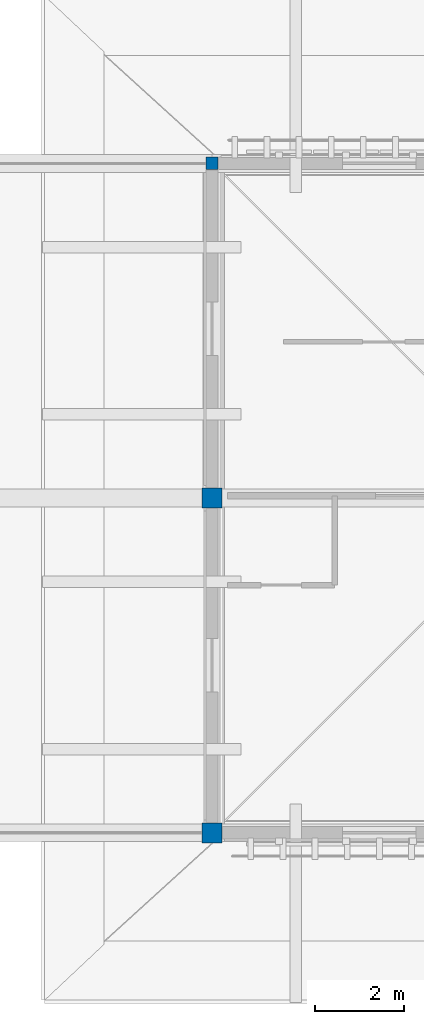
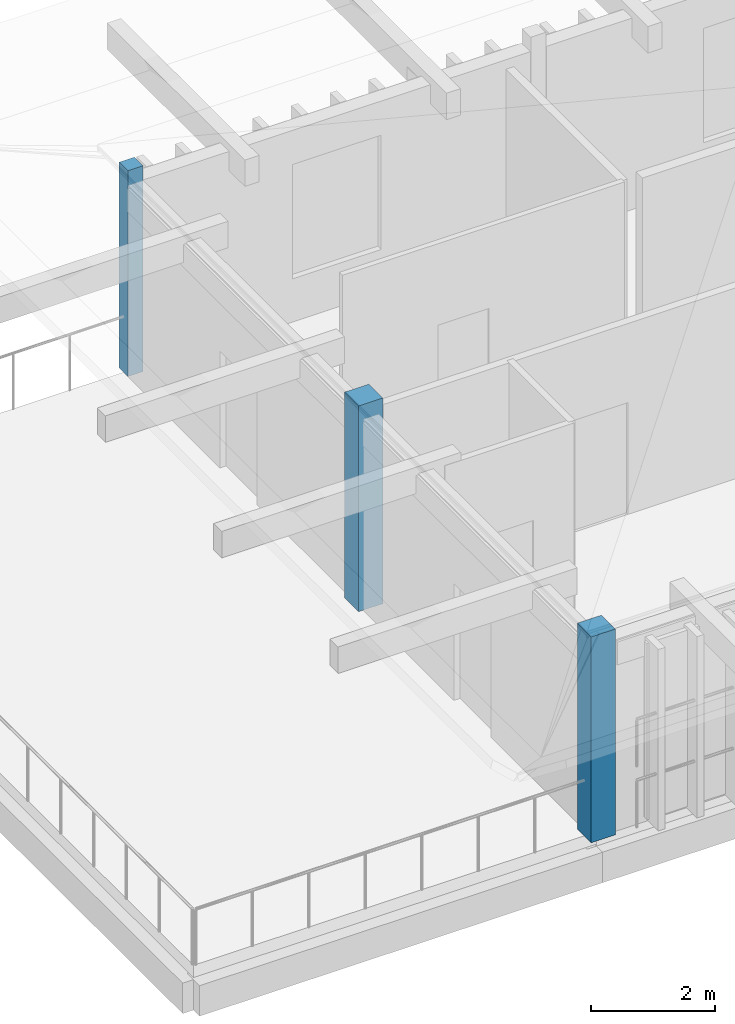
# One storey, part 3 of 33: 3 columns.
"""IFC4 building model written with IfcOpenShell, lengths in metres."""

from ifc_helpers import new_model, si_unit, direction, frame, origin, origin_2d, place, context, subcontext, project, spatial, rectangle, extrude, material, material_profile, profile_set, type_object, element, save


model = new_model("IFC4")

# Units and contexts
model_context = context("Model", 3, precision=1e-05, world=origin(), true_north=direction((0.0, 1.0)))
body_context = subcontext(model_context, "Body", "Model", "MODEL_VIEW")
ifc_project = project(units=[si_unit("LENGTHUNIT", "METRE"), si_unit("AREAUNIT", "SQUARE_METRE"), si_unit("VOLUMEUNIT", "CUBIC_METRE"), si_unit("PLANEANGLEUNIT", "RADIAN"), si_unit("MASSUNIT", "GRAM", prefix="KILO")], contexts=[model_context])

# Site, building, storey
site_placement = place(None, origin())
site = spatial("IfcSite", under=ifc_project, at=site_placement, CompositionType="ELEMENT")
building_placement = place(site_placement, origin())
building = spatial("IfcBuilding", under=site, at=building_placement, Name="Dalvernix Boulevard General Hospital", CompositionType="ELEMENT")
storey_placement = place(building_placement, frame((0.0, 0.0, 21.89990234375)))
storey = spatial("IfcBuildingStorey", under=building, at=storey_placement, Name="L05", CompositionType="ELEMENT", Elevation=21.89990234375)

# Columns
ifc_material_1 = material(Name="Concrete C40/50", Category="concrete")
ifc_material_profile_1 = material_profile(ifc_material_1, rectangle(XDim=0.449951171875, YDim=0.449951171875, at=origin_2d()), Name="RC 450x450")
ifc_profile_set_1 = profile_set([ifc_material_profile_1], Name="Concrete C40/50")
column_type_1 = type_object("IfcColumnType", Name="COL-C-10-E", PredefinedType="COLUMN", material=ifc_profile_set_1)
for number, where, z_axis, x_axis, name in (
    (1, (120.0, 7.5, 0.0), (0.0, 0.0, 1.0), (1.0, 0.0, 0.0), "L05 column 17B"),
    (2, (120.0, 15.0, 0.0), (0.0, 0.0, 1.0), (1.0, 0.0, 0.0), "L05 column 17C"),
):
    element("IfcColumn", number, at=place(storey_placement, frame(where, z_axis=z_axis, x_axis=x_axis)), inside=storey, type_object=column_type_1, Name=name, PredefinedType="COLUMN", context=body_context, shape_type="SweptSolid", body=[
        extrude(rectangle(XDim=0.449951171875, YDim=0.449951171875, at=origin_2d()), origin(), (0.0, 0.0, 1.0), 4.050048828125),
    ])
ifc_material_2 = material(Name="Glulam GL28h", Category="wood")
ifc_material_profile_2 = material_profile(ifc_material_2, rectangle(XDim=0.280029296875, YDim=0.280029296875, at=origin_2d()), Name="GL28h 280x280")
ifc_profile_set_2 = profile_set([ifc_material_profile_2], Name="Glulam GL28h")
column_type_2 = type_object("IfcColumnType", Name="COL-C-21-E", PredefinedType="COLUMN", material=ifc_profile_set_2)
column_placement = place(storey_placement, frame((120.0, 22.5, 0.0), z_axis=(0.0, 0.0, 1.0), x_axis=(1.0, 0.0, 0.0)))
element("IfcColumn", 3, at=column_placement, inside=storey, type_object=column_type_2, Name="L05 column 17D", PredefinedType="COLUMN", context=body_context, shape_type="SweptSolid", body=[
    extrude(rectangle(XDim=0.280029296875, YDim=0.280029296875, at=origin_2d()), origin(), (0.0, 0.0, 1.0), 4.050048828125),
])

save(model, "model.ifc")
